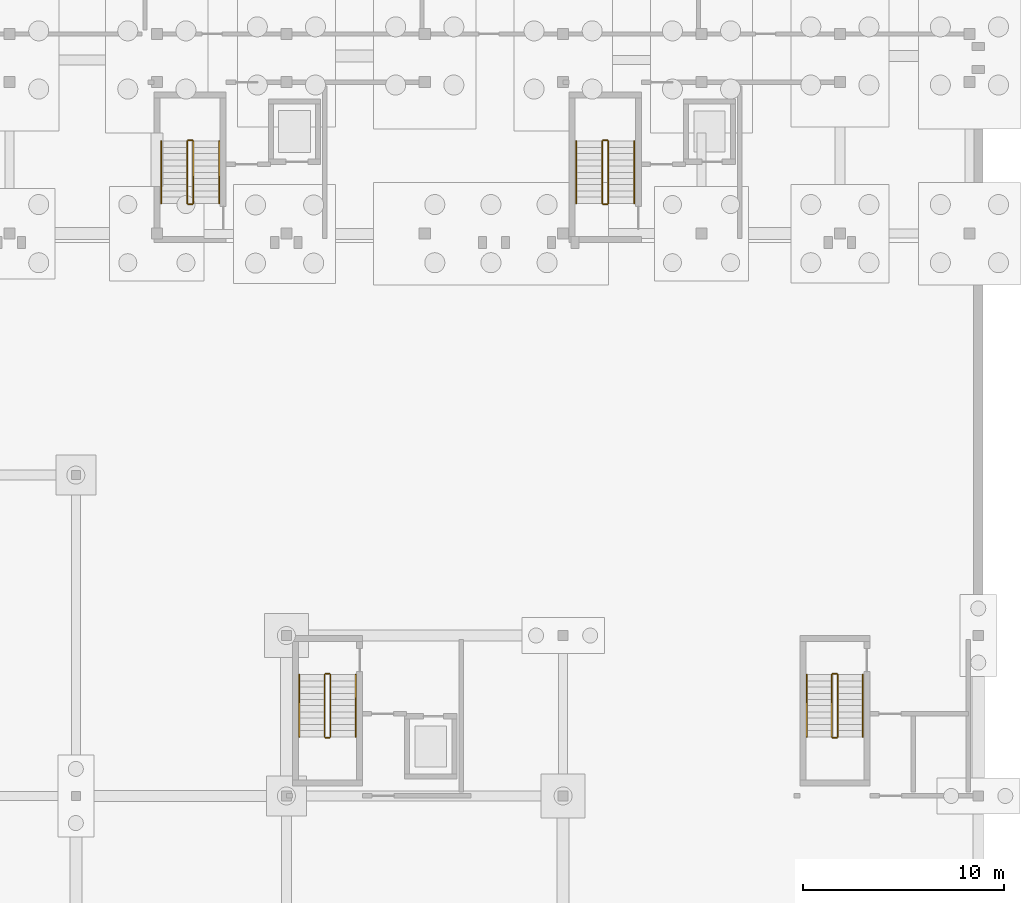
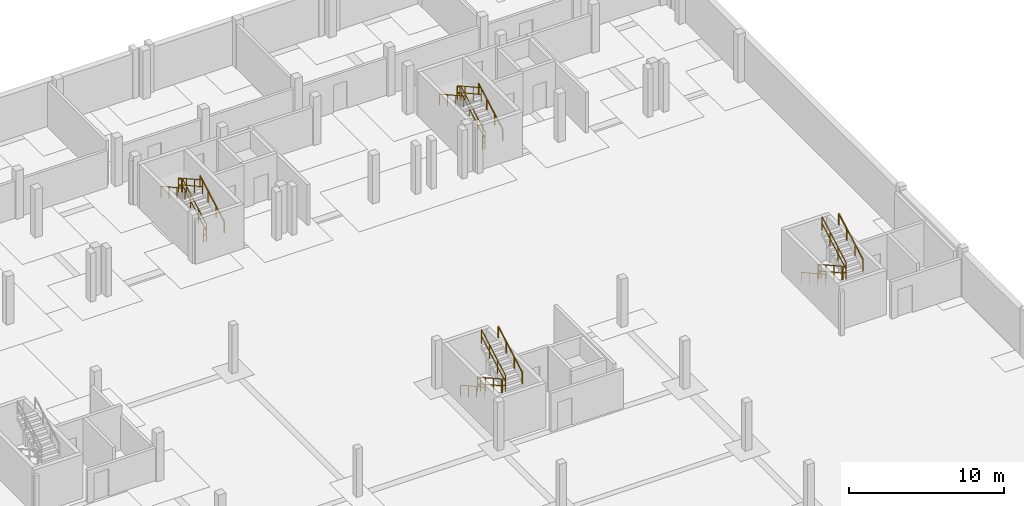
# One storey, part 37 of 38: 24 railings.
"""IFC4 building model written with IfcOpenShell, lengths in metres."""

from ifc_helpers import new_model, si_unit, direction, frame, origin, origin_2d, place, context, subcontext, project, spatial, rectangle, extrude, material, type_object, element, save


model = new_model("IFC4")

# Units and contexts
model_context = context("Model", 3, precision=1e-05, world=origin(), true_north=direction((0.0, 1.0)))
body_context = subcontext(model_context, "Body", "Model", "MODEL_VIEW")
ifc_project = project(units=[si_unit("LENGTHUNIT", "METRE"), si_unit("AREAUNIT", "SQUARE_METRE"), si_unit("VOLUMEUNIT", "CUBIC_METRE"), si_unit("PLANEANGLEUNIT", "RADIAN"), si_unit("MASSUNIT", "GRAM", prefix="KILO")], contexts=[model_context])

# Site, building, storey
site_placement = place(None, origin())
site = spatial("IfcSite", under=ifc_project, at=site_placement, CompositionType="ELEMENT")
building_placement = place(site_placement, origin())
building = spatial("IfcBuilding", under=site, at=building_placement, Name="Zavelmont Quarter", CompositionType="ELEMENT")
storey_placement = place(building_placement, frame((0.0, 0.0, -3.800048828125)))
storey = spatial("IfcBuildingStorey", under=building, at=storey_placement, Name="B01", CompositionType="ELEMENT", Elevation=-3.800048828125)

# Railings
ifc_material_1 = material(Name="Powder-coated steel stair guardrail", Category="steel")
railing_type_1 = type_object("IfcRailingType", Name="RL-GRD1", PredefinedType="GUARDRAIL", material=ifc_material_1)
railing_1_placement = place(storey_placement, frame((128.85009765625, 99.550048828125, 0.1728515625)))
element("IfcRailing", 1, at=railing_1_placement, inside=storey, type_object=railing_type_1, Name="B01 ST05 stair guardrail 1", PredefinedType="GUARDRAIL", context=body_context, shape_type="SweptSolid", body=[
    extrude(rectangle(XDim=0.048095703125, YDim=0.048095703125, at=origin_2d()), frame((0.0, 0.0, 1.076171875), z_axis=(0.0, 0.873539977393, 0.486752409235), x_axis=(-1.0, 0.0, 0.0)), (0.0, 0.0, 1.0), 3.548583984375),
    extrude(rectangle(XDim=0.048095703125, YDim=0.048095703125, at=origin_2d()), frame((0.0, 0.0, 0.550048828125), z_axis=(0.0, 0.873539977393, 0.486752409235), x_axis=(-1.0, 0.0, 0.0)), (0.0, 0.0, 1.0), 3.548583984375),
    extrude(rectangle(XDim=0.0419921875, YDim=0.0419921875, at=origin_2d()), origin(), (0.0, 0.0, 1.0), 1.052001953125),
    extrude(rectangle(XDim=0.0419921875, YDim=0.0419921875, at=origin_2d()), frame((0.0, 1.033203125, 0.57568359375)), (0.0, 0.0, 1.0), 1.052001953125),
    extrude(rectangle(XDim=0.0419921875, YDim=0.0419921875, at=origin_2d()), frame((0.0, 2.066650390625, 1.151611328125)), (0.0, 0.0, 1.0), 1.052001953125),
    extrude(rectangle(XDim=0.0419921875, YDim=0.0419921875, at=origin_2d()), frame((0.0, 3.099853515625, 1.727294921875)), (0.0, 0.0, 1.0), 1.052001953125),
])
railing_2_placement = place(storey_placement, frame((128.800048828125, 102.699951171875, 1.900146484375)))
element("IfcRailing", 2, at=railing_2_placement, inside=storey, type_object=railing_type_1, Name="B01 ST05 stair guardrail 2", PredefinedType="GUARDRAIL", context=body_context, shape_type="SweptSolid", body=[
    extrude(rectangle(XDim=0.048095703125, YDim=0.048095703125, at=origin_2d()), frame((0.0, 0.0, 1.076171875), z_axis=(-1.0, 0.0, 0.0), x_axis=(0.0, -1.0, 0.0)), (0.0, 0.0, 1.0), 0.199951171875),
    extrude(rectangle(XDim=0.048095703125, YDim=0.048095703125, at=origin_2d()), frame((0.0, 0.0, 0.550048828125), z_axis=(-1.0, 0.0, 0.0), x_axis=(0.0, -1.0, 0.0)), (0.0, 0.0, 1.0), 0.199951171875),
    extrude(rectangle(XDim=0.0419921875, YDim=0.0419921875, at=origin_2d()), origin(), (0.0, 0.0, 1.0), 1.052001953125),
    extrude(rectangle(XDim=0.0419921875, YDim=0.0419921875, at=origin_2d()), frame((-0.199951171875, 0.0, 0.0)), (0.0, 0.0, 1.0), 1.052001953125),
])
railing_3_placement = place(storey_placement, frame((128.550048828125, 102.64990234375, 2.07275390625)))
element("IfcRailing", 3, at=railing_3_placement, inside=storey, type_object=railing_type_1, Name="B01 ST05 stair guardrail 3", PredefinedType="GUARDRAIL", context=body_context, shape_type="SweptSolid", body=[
    extrude(rectangle(XDim=0.048095703125, YDim=0.048095703125, at=origin_2d()), frame((0.0, 0.0, 1.076171875), z_axis=(0.0, -0.873539977393, 0.486752409235), x_axis=(1.0, 0.0, 0.0)), (0.0, 0.0, 1.0), 3.548583984375),
    extrude(rectangle(XDim=0.048095703125, YDim=0.048095703125, at=origin_2d()), frame((0.0, 0.0, 0.550048828125), z_axis=(0.0, -0.873539977393, 0.486752409235), x_axis=(1.0, 0.0, 0.0)), (0.0, 0.0, 1.0), 3.548583984375),
    extrude(rectangle(XDim=0.0419921875, YDim=0.0419921875, at=origin_2d()), origin(), (0.0, 0.0, 1.0), 1.052001953125),
    extrude(rectangle(XDim=0.0419921875, YDim=0.0419921875, at=origin_2d()), frame((0.0, -1.033203125, 0.57568359375)), (0.0, 0.0, 1.0), 1.052001953125),
    extrude(rectangle(XDim=0.0419921875, YDim=0.0419921875, at=origin_2d()), frame((0.0, -2.066650390625, 1.151611328125)), (0.0, 0.0, 1.0), 1.052001953125),
    extrude(rectangle(XDim=0.0419921875, YDim=0.0419921875, at=origin_2d()), frame((0.0, -3.099853515625, 1.727294921875)), (0.0, 0.0, 1.0), 1.052001953125),
])
railing_4_placement = place(storey_placement, frame((128.800048828125, 99.5, 0.0)))
element("IfcRailing", 4, at=railing_4_placement, inside=storey, type_object=railing_type_1, Name="B01 ST05 stair guardrail 4", PredefinedType="GUARDRAIL", context=body_context, shape_type="SweptSolid", body=[
    extrude(rectangle(XDim=0.048095703125, YDim=0.048095703125, at=origin_2d()), frame((0.0, 0.0, 1.076171875), z_axis=(-1.0, 0.0, 0.0), x_axis=(0.0, -1.0, 0.0)), (0.0, 0.0, 1.0), 0.199951171875),
    extrude(rectangle(XDim=0.048095703125, YDim=0.048095703125, at=origin_2d()), frame((0.0, 0.0, 0.550048828125), z_axis=(-1.0, 0.0, 0.0), x_axis=(0.0, -1.0, 0.0)), (0.0, 0.0, 1.0), 0.199951171875),
    extrude(rectangle(XDim=0.0419921875, YDim=0.0419921875, at=origin_2d()), origin(), (0.0, 0.0, 1.0), 1.052001953125),
    extrude(rectangle(XDim=0.0419921875, YDim=0.0419921875, at=origin_2d()), frame((-0.199951171875, 0.0, 0.0)), (0.0, 0.0, 1.0), 1.052001953125),
])
railing_5_placement = place(storey_placement, frame((149.550048828125, 99.550048828125, 0.1728515625)))
element("IfcRailing", 5, at=railing_5_placement, inside=storey, type_object=railing_type_1, Name="B01 ST06 stair guardrail 1", PredefinedType="GUARDRAIL", context=body_context, shape_type="SweptSolid", body=[
    extrude(rectangle(XDim=0.048095703125, YDim=0.048095703125, at=origin_2d()), frame((0.0, 0.0, 1.076171875), z_axis=(0.0, 0.873539977393, 0.486752409235), x_axis=(-1.0, 0.0, 0.0)), (0.0, 0.0, 1.0), 3.548583984375),
    extrude(rectangle(XDim=0.048095703125, YDim=0.048095703125, at=origin_2d()), frame((0.0, 0.0, 0.550048828125), z_axis=(0.0, 0.873539977393, 0.486752409235), x_axis=(-1.0, 0.0, 0.0)), (0.0, 0.0, 1.0), 3.548583984375),
    extrude(rectangle(XDim=0.0419921875, YDim=0.0419921875, at=origin_2d()), origin(), (0.0, 0.0, 1.0), 1.052001953125),
    extrude(rectangle(XDim=0.0419921875, YDim=0.0419921875, at=origin_2d()), frame((0.0, 1.033203125, 0.57568359375)), (0.0, 0.0, 1.0), 1.052001953125),
    extrude(rectangle(XDim=0.0419921875, YDim=0.0419921875, at=origin_2d()), frame((0.0, 2.066650390625, 1.151611328125)), (0.0, 0.0, 1.0), 1.052001953125),
    extrude(rectangle(XDim=0.0419921875, YDim=0.0419921875, at=origin_2d()), frame((0.0, 3.099853515625, 1.727294921875)), (0.0, 0.0, 1.0), 1.052001953125),
])
railing_6_placement = place(storey_placement, frame((149.5, 102.699951171875, 1.900146484375)))
element("IfcRailing", 6, at=railing_6_placement, inside=storey, type_object=railing_type_1, Name="B01 ST06 stair guardrail 2", PredefinedType="GUARDRAIL", context=body_context, shape_type="SweptSolid", body=[
    extrude(rectangle(XDim=0.048095703125, YDim=0.048095703125, at=origin_2d()), frame((0.0, 0.0, 1.076171875), z_axis=(-1.0, 0.0, 0.0), x_axis=(0.0, -1.0, 0.0)), (0.0, 0.0, 1.0), 0.199951171875),
    extrude(rectangle(XDim=0.048095703125, YDim=0.048095703125, at=origin_2d()), frame((0.0, 0.0, 0.550048828125), z_axis=(-1.0, 0.0, 0.0), x_axis=(0.0, -1.0, 0.0)), (0.0, 0.0, 1.0), 0.199951171875),
    extrude(rectangle(XDim=0.0419921875, YDim=0.0419921875, at=origin_2d()), origin(), (0.0, 0.0, 1.0), 1.052001953125),
    extrude(rectangle(XDim=0.0419921875, YDim=0.0419921875, at=origin_2d()), frame((-0.199951171875, 0.0, 0.0)), (0.0, 0.0, 1.0), 1.052001953125),
])
railing_7_placement = place(storey_placement, frame((149.25, 102.64990234375, 2.07275390625)))
element("IfcRailing", 7, at=railing_7_placement, inside=storey, type_object=railing_type_1, Name="B01 ST06 stair guardrail 3", PredefinedType="GUARDRAIL", context=body_context, shape_type="SweptSolid", body=[
    extrude(rectangle(XDim=0.048095703125, YDim=0.048095703125, at=origin_2d()), frame((0.0, 0.0, 1.076171875), z_axis=(0.0, -0.873539977393, 0.486752409235), x_axis=(1.0, 0.0, 0.0)), (0.0, 0.0, 1.0), 3.548583984375),
    extrude(rectangle(XDim=0.048095703125, YDim=0.048095703125, at=origin_2d()), frame((0.0, 0.0, 0.550048828125), z_axis=(0.0, -0.873539977393, 0.486752409235), x_axis=(1.0, 0.0, 0.0)), (0.0, 0.0, 1.0), 3.548583984375),
    extrude(rectangle(XDim=0.0419921875, YDim=0.0419921875, at=origin_2d()), origin(), (0.0, 0.0, 1.0), 1.052001953125),
    extrude(rectangle(XDim=0.0419921875, YDim=0.0419921875, at=origin_2d()), frame((0.0, -1.033203125, 0.57568359375)), (0.0, 0.0, 1.0), 1.052001953125),
    extrude(rectangle(XDim=0.0419921875, YDim=0.0419921875, at=origin_2d()), frame((0.0, -2.066650390625, 1.151611328125)), (0.0, 0.0, 1.0), 1.052001953125),
    extrude(rectangle(XDim=0.0419921875, YDim=0.0419921875, at=origin_2d()), frame((0.0, -3.099853515625, 1.727294921875)), (0.0, 0.0, 1.0), 1.052001953125),
])
railing_8_placement = place(storey_placement, frame((149.5, 99.5, 0.0)))
element("IfcRailing", 8, at=railing_8_placement, inside=storey, type_object=railing_type_1, Name="B01 ST06 stair guardrail 4", PredefinedType="GUARDRAIL", context=body_context, shape_type="SweptSolid", body=[
    extrude(rectangle(XDim=0.048095703125, YDim=0.048095703125, at=origin_2d()), frame((0.0, 0.0, 1.076171875), z_axis=(-1.0, 0.0, 0.0), x_axis=(0.0, -1.0, 0.0)), (0.0, 0.0, 1.0), 0.199951171875),
    extrude(rectangle(XDim=0.048095703125, YDim=0.048095703125, at=origin_2d()), frame((0.0, 0.0, 0.550048828125), z_axis=(-1.0, 0.0, 0.0), x_axis=(0.0, -1.0, 0.0)), (0.0, 0.0, 1.0), 0.199951171875),
    extrude(rectangle(XDim=0.0419921875, YDim=0.0419921875, at=origin_2d()), origin(), (0.0, 0.0, 1.0), 1.052001953125),
    extrude(rectangle(XDim=0.0419921875, YDim=0.0419921875, at=origin_2d()), frame((-0.199951171875, 0.0, 0.0)), (0.0, 0.0, 1.0), 1.052001953125),
])
railing_9_placement = place(storey_placement, frame((135.39990234375, 76.050048828125, 0.1728515625)))
element("IfcRailing", 9, at=railing_9_placement, inside=storey, type_object=railing_type_1, Name="B01 ST11 stair guardrail 1", PredefinedType="GUARDRAIL", context=body_context, shape_type="SweptSolid", body=[
    extrude(rectangle(XDim=0.048095703125, YDim=0.048095703125, at=origin_2d()), frame((0.0, 0.0, 1.076171875), z_axis=(0.0, -0.87355627631, 0.486723157575), x_axis=(1.0, 0.0, 0.0)), (0.0, 0.0, 1.0), 3.548828125),
    extrude(rectangle(XDim=0.048095703125, YDim=0.048095703125, at=origin_2d()), frame((0.0, 0.0, 0.550048828125), z_axis=(0.0, -0.87355627631, 0.486723157575), x_axis=(1.0, 0.0, 0.0)), (0.0, 0.0, 1.0), 3.548828125),
    extrude(rectangle(XDim=0.0419921875, YDim=0.0419921875, at=origin_2d()), origin(), (0.0, 0.0, 1.0), 1.052001953125),
    extrude(rectangle(XDim=0.0419921875, YDim=0.0419921875, at=origin_2d()), frame((0.0, -1.033447265625, 0.57568359375)), (0.0, 0.0, 1.0), 1.052001953125),
    extrude(rectangle(XDim=0.0419921875, YDim=0.0419921875, at=origin_2d()), frame((0.0, -2.066650390625, 1.151611328125)), (0.0, 0.0, 1.0), 1.052001953125),
    extrude(rectangle(XDim=0.0419921875, YDim=0.0419921875, at=origin_2d()), frame((0.0, -3.10009765625, 1.727294921875)), (0.0, 0.0, 1.0), 1.052001953125),
])
railing_10_placement = place(storey_placement, frame((135.449951171875, 72.89990234375, 1.900146484375)))
element("IfcRailing", 10, at=railing_10_placement, inside=storey, type_object=railing_type_1, Name="B01 ST11 stair guardrail 2", PredefinedType="GUARDRAIL", context=body_context, shape_type="SweptSolid", body=[
    extrude(rectangle(XDim=0.048095703125, YDim=0.048095703125, at=origin_2d()), frame((0.0, 0.0, 1.076171875), z_axis=(1.0, 0.0, 0.0), x_axis=(0.0, 1.0, 0.0)), (0.0, 0.0, 1.0), 0.199951171875),
    extrude(rectangle(XDim=0.048095703125, YDim=0.048095703125, at=origin_2d()), frame((0.0, 0.0, 0.550048828125), z_axis=(1.0, 0.0, 0.0), x_axis=(0.0, 1.0, 0.0)), (0.0, 0.0, 1.0), 0.199951171875),
    extrude(rectangle(XDim=0.0419921875, YDim=0.0419921875, at=origin_2d()), origin(), (0.0, 0.0, 1.0), 1.052001953125),
    extrude(rectangle(XDim=0.0419921875, YDim=0.0419921875, at=origin_2d()), frame((0.199951171875, 0.0, 0.0)), (0.0, 0.0, 1.0), 1.052001953125),
])
railing_11_placement = place(storey_placement, frame((135.699951171875, 72.949951171875, 2.07275390625)))
element("IfcRailing", 11, at=railing_11_placement, inside=storey, type_object=railing_type_1, Name="B01 ST11 stair guardrail 3", PredefinedType="GUARDRAIL", context=body_context, shape_type="SweptSolid", body=[
    extrude(rectangle(XDim=0.048095703125, YDim=0.048095703125, at=origin_2d()), frame((0.0, 0.0, 1.076171875), z_axis=(0.0, 0.87355627631, 0.486723157575), x_axis=(-1.0, 0.0, 0.0)), (0.0, 0.0, 1.0), 3.548828125),
    extrude(rectangle(XDim=0.048095703125, YDim=0.048095703125, at=origin_2d()), frame((0.0, 0.0, 0.550048828125), z_axis=(0.0, 0.87355627631, 0.486723157575), x_axis=(-1.0, 0.0, 0.0)), (0.0, 0.0, 1.0), 3.548828125),
    extrude(rectangle(XDim=0.0419921875, YDim=0.0419921875, at=origin_2d()), origin(), (0.0, 0.0, 1.0), 1.052001953125),
    extrude(rectangle(XDim=0.0419921875, YDim=0.0419921875, at=origin_2d()), frame((0.0, 1.033447265625, 0.57568359375)), (0.0, 0.0, 1.0), 1.052001953125),
    extrude(rectangle(XDim=0.0419921875, YDim=0.0419921875, at=origin_2d()), frame((0.0, 2.066650390625, 1.151611328125)), (0.0, 0.0, 1.0), 1.052001953125),
    extrude(rectangle(XDim=0.0419921875, YDim=0.0419921875, at=origin_2d()), frame((0.0, 3.10009765625, 1.727294921875)), (0.0, 0.0, 1.0), 1.052001953125),
])
railing_12_placement = place(storey_placement, frame((135.449951171875, 76.10009765625, 0.0)))
element("IfcRailing", 12, at=railing_12_placement, inside=storey, type_object=railing_type_1, Name="B01 ST11 stair guardrail 4", PredefinedType="GUARDRAIL", context=body_context, shape_type="SweptSolid", body=[
    extrude(rectangle(XDim=0.048095703125, YDim=0.048095703125, at=origin_2d()), frame((0.0, 0.0, 1.076171875), z_axis=(1.0, 0.0, 0.0), x_axis=(0.0, 1.0, 0.0)), (0.0, 0.0, 1.0), 0.199951171875),
    extrude(rectangle(XDim=0.048095703125, YDim=0.048095703125, at=origin_2d()), frame((0.0, 0.0, 0.550048828125), z_axis=(1.0, 0.0, 0.0), x_axis=(0.0, 1.0, 0.0)), (0.0, 0.0, 1.0), 0.199951171875),
    extrude(rectangle(XDim=0.0419921875, YDim=0.0419921875, at=origin_2d()), origin(), (0.0, 0.0, 1.0), 1.052001953125),
    extrude(rectangle(XDim=0.0419921875, YDim=0.0419921875, at=origin_2d()), frame((0.199951171875, 0.0, 0.0)), (0.0, 0.0, 1.0), 1.052001953125),
])
railing_13_placement = place(storey_placement, frame((160.699951171875, 76.050048828125, 0.1728515625)))
element("IfcRailing", 13, at=railing_13_placement, inside=storey, type_object=railing_type_1, Name="B01 ST12 stair guardrail 1", PredefinedType="GUARDRAIL", context=body_context, shape_type="SweptSolid", body=[
    extrude(rectangle(XDim=0.048095703125, YDim=0.048095703125, at=origin_2d()), frame((0.0, 0.0, 1.076171875), z_axis=(0.0, -0.87355627631, 0.486723157575), x_axis=(1.0, 0.0, 0.0)), (0.0, 0.0, 1.0), 3.548828125),
    extrude(rectangle(XDim=0.048095703125, YDim=0.048095703125, at=origin_2d()), frame((0.0, 0.0, 0.550048828125), z_axis=(0.0, -0.87355627631, 0.486723157575), x_axis=(1.0, 0.0, 0.0)), (0.0, 0.0, 1.0), 3.548828125),
    extrude(rectangle(XDim=0.0419921875, YDim=0.0419921875, at=origin_2d()), origin(), (0.0, 0.0, 1.0), 1.052001953125),
    extrude(rectangle(XDim=0.0419921875, YDim=0.0419921875, at=origin_2d()), frame((0.0, -1.033447265625, 0.57568359375)), (0.0, 0.0, 1.0), 1.052001953125),
    extrude(rectangle(XDim=0.0419921875, YDim=0.0419921875, at=origin_2d()), frame((0.0, -2.066650390625, 1.151611328125)), (0.0, 0.0, 1.0), 1.052001953125),
    extrude(rectangle(XDim=0.0419921875, YDim=0.0419921875, at=origin_2d()), frame((0.0, -3.10009765625, 1.727294921875)), (0.0, 0.0, 1.0), 1.052001953125),
])
railing_14_placement = place(storey_placement, frame((160.75, 72.89990234375, 1.900146484375)))
element("IfcRailing", 14, at=railing_14_placement, inside=storey, type_object=railing_type_1, Name="B01 ST12 stair guardrail 2", PredefinedType="GUARDRAIL", context=body_context, shape_type="SweptSolid", body=[
    extrude(rectangle(XDim=0.048095703125, YDim=0.048095703125, at=origin_2d()), frame((0.0, 0.0, 1.076171875), z_axis=(1.0, 0.0, 0.0), x_axis=(0.0, 1.0, 0.0)), (0.0, 0.0, 1.0), 0.199951171875),
    extrude(rectangle(XDim=0.048095703125, YDim=0.048095703125, at=origin_2d()), frame((0.0, 0.0, 0.550048828125), z_axis=(1.0, 0.0, 0.0), x_axis=(0.0, 1.0, 0.0)), (0.0, 0.0, 1.0), 0.199951171875),
    extrude(rectangle(XDim=0.0419921875, YDim=0.0419921875, at=origin_2d()), origin(), (0.0, 0.0, 1.0), 1.052001953125),
    extrude(rectangle(XDim=0.0419921875, YDim=0.0419921875, at=origin_2d()), frame((0.199951171875, 0.0, 0.0)), (0.0, 0.0, 1.0), 1.052001953125),
])
railing_15_placement = place(storey_placement, frame((161.0, 72.949951171875, 2.07275390625)))
element("IfcRailing", 15, at=railing_15_placement, inside=storey, type_object=railing_type_1, Name="B01 ST12 stair guardrail 3", PredefinedType="GUARDRAIL", context=body_context, shape_type="SweptSolid", body=[
    extrude(rectangle(XDim=0.048095703125, YDim=0.048095703125, at=origin_2d()), frame((0.0, 0.0, 1.076171875), z_axis=(0.0, 0.87355627631, 0.486723157575), x_axis=(-1.0, 0.0, 0.0)), (0.0, 0.0, 1.0), 3.548828125),
    extrude(rectangle(XDim=0.048095703125, YDim=0.048095703125, at=origin_2d()), frame((0.0, 0.0, 0.550048828125), z_axis=(0.0, 0.87355627631, 0.486723157575), x_axis=(-1.0, 0.0, 0.0)), (0.0, 0.0, 1.0), 3.548828125),
    extrude(rectangle(XDim=0.0419921875, YDim=0.0419921875, at=origin_2d()), origin(), (0.0, 0.0, 1.0), 1.052001953125),
    extrude(rectangle(XDim=0.0419921875, YDim=0.0419921875, at=origin_2d()), frame((0.0, 1.033447265625, 0.57568359375)), (0.0, 0.0, 1.0), 1.052001953125),
    extrude(rectangle(XDim=0.0419921875, YDim=0.0419921875, at=origin_2d()), frame((0.0, 2.066650390625, 1.151611328125)), (0.0, 0.0, 1.0), 1.052001953125),
    extrude(rectangle(XDim=0.0419921875, YDim=0.0419921875, at=origin_2d()), frame((0.0, 3.10009765625, 1.727294921875)), (0.0, 0.0, 1.0), 1.052001953125),
])
railing_16_placement = place(storey_placement, frame((160.75, 76.10009765625, 0.0)))
element("IfcRailing", 16, at=railing_16_placement, inside=storey, type_object=railing_type_1, Name="B01 ST12 stair guardrail 4", PredefinedType="GUARDRAIL", context=body_context, shape_type="SweptSolid", body=[
    extrude(rectangle(XDim=0.048095703125, YDim=0.048095703125, at=origin_2d()), frame((0.0, 0.0, 1.076171875), z_axis=(1.0, 0.0, 0.0), x_axis=(0.0, 1.0, 0.0)), (0.0, 0.0, 1.0), 0.199951171875),
    extrude(rectangle(XDim=0.048095703125, YDim=0.048095703125, at=origin_2d()), frame((0.0, 0.0, 0.550048828125), z_axis=(1.0, 0.0, 0.0), x_axis=(0.0, 1.0, 0.0)), (0.0, 0.0, 1.0), 0.199951171875),
    extrude(rectangle(XDim=0.0419921875, YDim=0.0419921875, at=origin_2d()), origin(), (0.0, 0.0, 1.0), 1.052001953125),
    extrude(rectangle(XDim=0.0419921875, YDim=0.0419921875, at=origin_2d()), frame((0.199951171875, 0.0, 0.0)), (0.0, 0.0, 1.0), 1.052001953125),
])
ifc_material_2 = material(Name="Brushed stainless-steel wall handrail", Category="steel")
railing_type_2 = type_object("IfcRailingType", Name="RL-HND1", PredefinedType="HANDRAIL", material=ifc_material_2)
railing_17_placement = place(storey_placement, frame((130.14990234375, 99.550048828125, 0.1728515625)))
element("IfcRailing", 17, at=railing_17_placement, inside=storey, type_object=railing_type_2, Name="B01 ST05 stair handrail 1", PredefinedType="HANDRAIL", context=body_context, shape_type="SweptSolid", body=[
    extrude(rectangle(XDim=0.048095703125, YDim=0.048095703125, at=origin_2d()), frame((0.0, 0.0, 0.8759765625), z_axis=(0.0, 0.873539977393, 0.486752409235), x_axis=(-1.0, 0.0, 0.0)), (0.0, 0.0, 1.0), 3.548583984375),
    extrude(rectangle(XDim=0.0419921875, YDim=0.0419921875, at=origin_2d()), origin(), (0.0, 0.0, 1.0), 0.851806640625),
    extrude(rectangle(XDim=0.0419921875, YDim=0.0419921875, at=origin_2d()), frame((0.0, 1.033203125, 0.57568359375)), (0.0, 0.0, 1.0), 0.851806640625),
    extrude(rectangle(XDim=0.0419921875, YDim=0.0419921875, at=origin_2d()), frame((0.0, 2.066650390625, 1.151611328125)), (0.0, 0.0, 1.0), 0.851806640625),
    extrude(rectangle(XDim=0.0419921875, YDim=0.0419921875, at=origin_2d()), frame((0.0, 3.099853515625, 1.727294921875)), (0.0, 0.0, 1.0), 0.851806640625),
])
railing_18_placement = place(storey_placement, frame((127.25, 102.64990234375, 2.07275390625)))
element("IfcRailing", 18, at=railing_18_placement, inside=storey, type_object=railing_type_2, Name="B01 ST05 stair handrail 2", PredefinedType="HANDRAIL", context=body_context, shape_type="SweptSolid", body=[
    extrude(rectangle(XDim=0.048095703125, YDim=0.048095703125, at=origin_2d()), frame((0.0, 0.0, 0.8759765625), z_axis=(0.0, -0.873539977393, 0.486752409235), x_axis=(1.0, 0.0, 0.0)), (0.0, 0.0, 1.0), 3.548583984375),
    extrude(rectangle(XDim=0.0419921875, YDim=0.0419921875, at=origin_2d()), origin(), (0.0, 0.0, 1.0), 0.851806640625),
    extrude(rectangle(XDim=0.0419921875, YDim=0.0419921875, at=origin_2d()), frame((0.0, -1.033203125, 0.57568359375)), (0.0, 0.0, 1.0), 0.851806640625),
    extrude(rectangle(XDim=0.0419921875, YDim=0.0419921875, at=origin_2d()), frame((0.0, -2.066650390625, 1.151611328125)), (0.0, 0.0, 1.0), 0.851806640625),
    extrude(rectangle(XDim=0.0419921875, YDim=0.0419921875, at=origin_2d()), frame((0.0, -3.099853515625, 1.727294921875)), (0.0, 0.0, 1.0), 0.851806640625),
])
railing_19_placement = place(storey_placement, frame((150.85009765625, 99.550048828125, 0.1728515625)))
element("IfcRailing", 19, at=railing_19_placement, inside=storey, type_object=railing_type_2, Name="B01 ST06 stair handrail 1", PredefinedType="HANDRAIL", context=body_context, shape_type="SweptSolid", body=[
    extrude(rectangle(XDim=0.048095703125, YDim=0.048095703125, at=origin_2d()), frame((0.0, 0.0, 0.8759765625), z_axis=(0.0, 0.873539977393, 0.486752409235), x_axis=(-1.0, 0.0, 0.0)), (0.0, 0.0, 1.0), 3.548583984375),
    extrude(rectangle(XDim=0.0419921875, YDim=0.0419921875, at=origin_2d()), origin(), (0.0, 0.0, 1.0), 0.851806640625),
    extrude(rectangle(XDim=0.0419921875, YDim=0.0419921875, at=origin_2d()), frame((0.0, 1.033203125, 0.57568359375)), (0.0, 0.0, 1.0), 0.851806640625),
    extrude(rectangle(XDim=0.0419921875, YDim=0.0419921875, at=origin_2d()), frame((0.0, 2.066650390625, 1.151611328125)), (0.0, 0.0, 1.0), 0.851806640625),
    extrude(rectangle(XDim=0.0419921875, YDim=0.0419921875, at=origin_2d()), frame((0.0, 3.099853515625, 1.727294921875)), (0.0, 0.0, 1.0), 0.851806640625),
])
railing_20_placement = place(storey_placement, frame((147.949951171875, 102.64990234375, 2.07275390625)))
element("IfcRailing", 20, at=railing_20_placement, inside=storey, type_object=railing_type_2, Name="B01 ST06 stair handrail 2", PredefinedType="HANDRAIL", context=body_context, shape_type="SweptSolid", body=[
    extrude(rectangle(XDim=0.048095703125, YDim=0.048095703125, at=origin_2d()), frame((0.0, 0.0, 0.8759765625), z_axis=(0.0, -0.873539977393, 0.486752409235), x_axis=(1.0, 0.0, 0.0)), (0.0, 0.0, 1.0), 3.548583984375),
    extrude(rectangle(XDim=0.0419921875, YDim=0.0419921875, at=origin_2d()), origin(), (0.0, 0.0, 1.0), 0.851806640625),
    extrude(rectangle(XDim=0.0419921875, YDim=0.0419921875, at=origin_2d()), frame((0.0, -1.033203125, 0.57568359375)), (0.0, 0.0, 1.0), 0.851806640625),
    extrude(rectangle(XDim=0.0419921875, YDim=0.0419921875, at=origin_2d()), frame((0.0, -2.066650390625, 1.151611328125)), (0.0, 0.0, 1.0), 0.851806640625),
    extrude(rectangle(XDim=0.0419921875, YDim=0.0419921875, at=origin_2d()), frame((0.0, -3.099853515625, 1.727294921875)), (0.0, 0.0, 1.0), 0.851806640625),
])
railing_21_placement = place(storey_placement, frame((134.14990234375, 76.050048828125, 0.1728515625)))
element("IfcRailing", 21, at=railing_21_placement, inside=storey, type_object=railing_type_2, Name="B01 ST11 stair handrail 1", PredefinedType="HANDRAIL", context=body_context, shape_type="SweptSolid", body=[
    extrude(rectangle(XDim=0.048095703125, YDim=0.048095703125, at=origin_2d()), frame((0.0, 0.0, 0.8759765625), z_axis=(0.0, -0.87355627631, 0.486723157575), x_axis=(1.0, 0.0, 0.0)), (0.0, 0.0, 1.0), 3.548828125),
    extrude(rectangle(XDim=0.0419921875, YDim=0.0419921875, at=origin_2d()), origin(), (0.0, 0.0, 1.0), 0.851806640625),
    extrude(rectangle(XDim=0.0419921875, YDim=0.0419921875, at=origin_2d()), frame((0.0, -1.033447265625, 0.57568359375)), (0.0, 0.0, 1.0), 0.851806640625),
    extrude(rectangle(XDim=0.0419921875, YDim=0.0419921875, at=origin_2d()), frame((0.0, -2.066650390625, 1.151611328125)), (0.0, 0.0, 1.0), 0.851806640625),
    extrude(rectangle(XDim=0.0419921875, YDim=0.0419921875, at=origin_2d()), frame((0.0, -3.10009765625, 1.727294921875)), (0.0, 0.0, 1.0), 0.851806640625),
])
railing_22_placement = place(storey_placement, frame((136.949951171875, 72.949951171875, 2.07275390625)))
element("IfcRailing", 22, at=railing_22_placement, inside=storey, type_object=railing_type_2, Name="B01 ST11 stair handrail 2", PredefinedType="HANDRAIL", context=body_context, shape_type="SweptSolid", body=[
    extrude(rectangle(XDim=0.048095703125, YDim=0.048095703125, at=origin_2d()), frame((0.0, 0.0, 0.8759765625), z_axis=(0.0, 0.87355627631, 0.486723157575), x_axis=(-1.0, 0.0, 0.0)), (0.0, 0.0, 1.0), 3.548828125),
    extrude(rectangle(XDim=0.0419921875, YDim=0.0419921875, at=origin_2d()), origin(), (0.0, 0.0, 1.0), 0.851806640625),
    extrude(rectangle(XDim=0.0419921875, YDim=0.0419921875, at=origin_2d()), frame((0.0, 1.033447265625, 0.57568359375)), (0.0, 0.0, 1.0), 0.851806640625),
    extrude(rectangle(XDim=0.0419921875, YDim=0.0419921875, at=origin_2d()), frame((0.0, 2.066650390625, 1.151611328125)), (0.0, 0.0, 1.0), 0.851806640625),
    extrude(rectangle(XDim=0.0419921875, YDim=0.0419921875, at=origin_2d()), frame((0.0, 3.10009765625, 1.727294921875)), (0.0, 0.0, 1.0), 0.851806640625),
])
railing_23_placement = place(storey_placement, frame((159.449951171875, 76.050048828125, 0.1728515625)))
element("IfcRailing", 23, at=railing_23_placement, inside=storey, type_object=railing_type_2, Name="B01 ST12 stair handrail 1", PredefinedType="HANDRAIL", context=body_context, shape_type="SweptSolid", body=[
    extrude(rectangle(XDim=0.048095703125, YDim=0.048095703125, at=origin_2d()), frame((0.0, 0.0, 0.8759765625), z_axis=(0.0, -0.87355627631, 0.486723157575), x_axis=(1.0, 0.0, 0.0)), (0.0, 0.0, 1.0), 3.548828125),
    extrude(rectangle(XDim=0.0419921875, YDim=0.0419921875, at=origin_2d()), origin(), (0.0, 0.0, 1.0), 0.851806640625),
    extrude(rectangle(XDim=0.0419921875, YDim=0.0419921875, at=origin_2d()), frame((0.0, -1.033447265625, 0.57568359375)), (0.0, 0.0, 1.0), 0.851806640625),
    extrude(rectangle(XDim=0.0419921875, YDim=0.0419921875, at=origin_2d()), frame((0.0, -2.066650390625, 1.151611328125)), (0.0, 0.0, 1.0), 0.851806640625),
    extrude(rectangle(XDim=0.0419921875, YDim=0.0419921875, at=origin_2d()), frame((0.0, -3.10009765625, 1.727294921875)), (0.0, 0.0, 1.0), 0.851806640625),
])
railing_24_placement = place(storey_placement, frame((162.25, 72.949951171875, 2.07275390625)))
element("IfcRailing", 24, at=railing_24_placement, inside=storey, type_object=railing_type_2, Name="B01 ST12 stair handrail 2", PredefinedType="HANDRAIL", context=body_context, shape_type="SweptSolid", body=[
    extrude(rectangle(XDim=0.048095703125, YDim=0.048095703125, at=origin_2d()), frame((0.0, 0.0, 0.8759765625), z_axis=(0.0, 0.87355627631, 0.486723157575), x_axis=(-1.0, 0.0, 0.0)), (0.0, 0.0, 1.0), 3.548828125),
    extrude(rectangle(XDim=0.0419921875, YDim=0.0419921875, at=origin_2d()), origin(), (0.0, 0.0, 1.0), 0.851806640625),
    extrude(rectangle(XDim=0.0419921875, YDim=0.0419921875, at=origin_2d()), frame((0.0, 1.033447265625, 0.57568359375)), (0.0, 0.0, 1.0), 0.851806640625),
    extrude(rectangle(XDim=0.0419921875, YDim=0.0419921875, at=origin_2d()), frame((0.0, 2.066650390625, 1.151611328125)), (0.0, 0.0, 1.0), 0.851806640625),
    extrude(rectangle(XDim=0.0419921875, YDim=0.0419921875, at=origin_2d()), frame((0.0, 3.10009765625, 1.727294921875)), (0.0, 0.0, 1.0), 0.851806640625),
])

save(model, "model.ifc")
